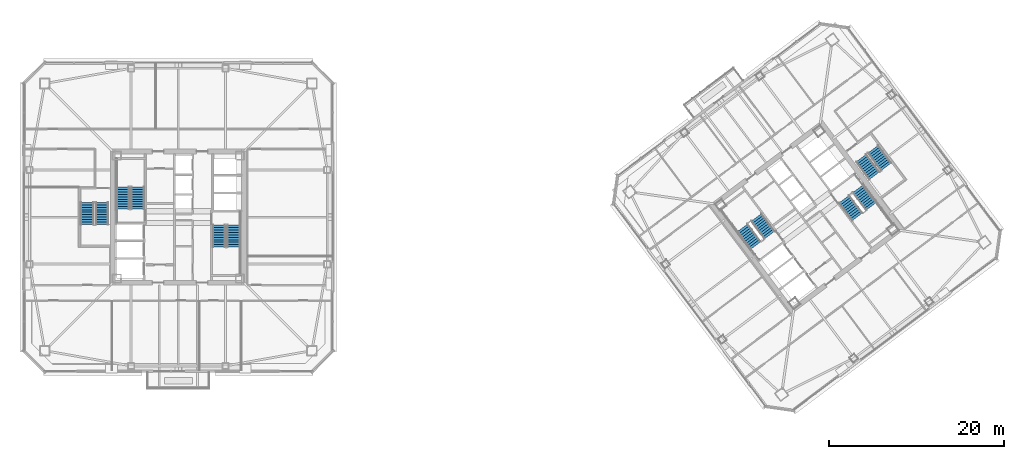
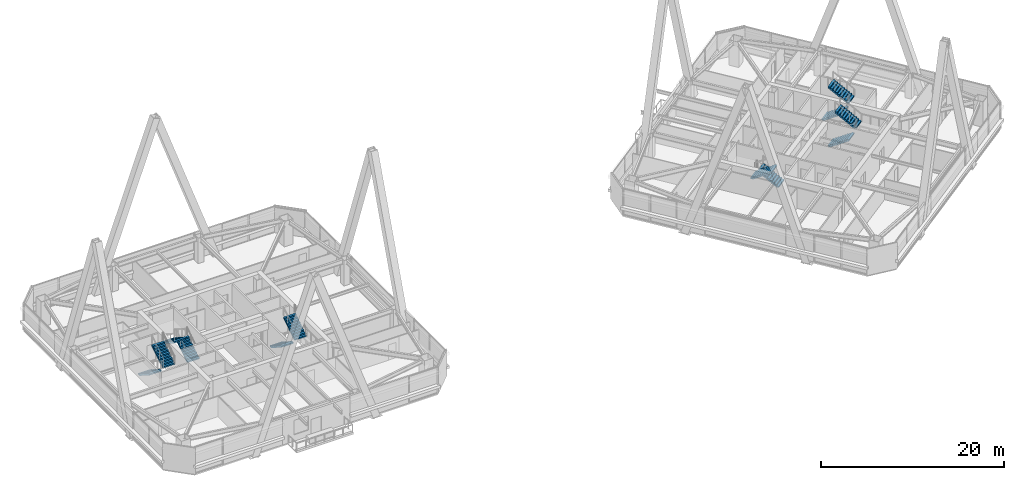
# One storey, part 49 of 55: 12 stair flights, 6 elements without a shape of their own.
"""IFC4 building model written with IfcOpenShell, lengths in metres."""

import ifcopenshell
import ifcopenshell.guid

model = None  # the IFC model being written
_history = None  # IfcOwnerHistory: only IFC2X3 demands one
_inside = {}  # id of a spatial element -> (the spatial element, [elements in it])
_under = {}  # id of a project, library or spatial element -> (it, [spatial elements below it])
_declared = {}  # id of a project -> (the project, [libraries it declares])
_typed = {}  # id of a type object -> (the type object, [elements of that type])
_made_of = {}  # id of a material, layer set ... -> (it, [elements and type objects made of it])


def new_model(schema):
    """Start an empty IFC model of exactly this schema.

    Asked for "IFC4X3", IfcOpenShell would pick the latest addendum, in which some entities
    have other attributes; the version numbers below select the first issue.
    IFC2X3 requires an IfcOwnerHistory on every rooted entity: one is made here for all.
    """
    global model, _history
    if schema == "IFC4X3":
        model = ifcopenshell.file(schema_version=(4, 3, 0, 0))
    else:
        model = ifcopenshell.file(schema=schema)
    _inside.clear()
    _under.clear()
    _declared.clear()
    _typed.clear()
    _made_of.clear()
    _history = None
    if model.schema == "IFC2X3":
        org = make("IfcOrganization", Name="unknown")
        user = make(
            "IfcPersonAndOrganization",
            ThePerson=make("IfcPerson", FamilyName="unknown"),
            TheOrganization=org,
        )
        app = make(
            "IfcApplication",
            ApplicationDeveloper=org,
            Version="unknown",
            ApplicationFullName="unknown",
            ApplicationIdentifier="unknown",
        )
        _history = make(
            "IfcOwnerHistory",
            OwningUser=user,
            OwningApplication=app,
            ChangeAction="ADDED",
            CreationDate=0,
        )
    return model


def make(cls, **values):
    """One entity of the class cls with the attributes given. An attribute that is None is left unset."""
    return model.create_entity(
        cls, **{name: value for name, value in values.items() if value is not None}
    )


def rooted(cls, **values):
    """An entity with a GlobalId (a new one), such as an element, a storey or a relation."""
    return make(cls, GlobalId=ifcopenshell.guid.new(), OwnerHistory=_history, **values)


def si_unit(unit_type, name, prefix=None):
    """IfcSIUnit, for example si_unit("LENGTHUNIT", "METRE", prefix="MILLI")."""
    return make("IfcSIUnit", UnitType=unit_type, Prefix=prefix, Name=name)


def assignment(units):
    """IfcUnitAssignment: the units of a project."""
    return None if units is None else make("IfcUnitAssignment", Units=units)


def point(xyz):
    """IfcCartesianPoint."""
    return None if xyz is None else make("IfcCartesianPoint", Coordinates=xyz)


def direction(xyz):
    """IfcDirection."""
    return None if xyz is None else make("IfcDirection", DirectionRatios=xyz)


def frame(location, z_axis=None, x_axis=None):
    """IfcAxis2Placement3D, a coordinate frame: its origin and axes. An axis left out is left unset."""
    return make(
        "IfcAxis2Placement3D",
        Location=point(location),
        Axis=direction(z_axis),
        RefDirection=direction(x_axis),
    )


def origin():
    """The frame at (0, 0, 0) with its axes left unset."""
    return frame((0.0, 0.0, 0.0))


def place(relative_to, where):
    """IfcLocalPlacement: puts the frame where relative to a parent placement (None: the world)."""
    return make(
        "IfcLocalPlacement", PlacementRelTo=relative_to, RelativePlacement=where
    )


def context(
    kind, dimensions, precision=None, world=None, true_north=None, identifier=None
):
    """IfcGeometricRepresentationContext, for example the 3D "Model" context."""
    return make(
        "IfcGeometricRepresentationContext",
        ContextIdentifier=identifier,
        ContextType=kind,
        CoordinateSpaceDimension=dimensions,
        Precision=precision,
        WorldCoordinateSystem=world,
        TrueNorth=true_north,
    )


def subcontext(parent, identifier, kind, view, scale=None):
    """IfcGeometricRepresentationSubContext, for example "Body" below "Model"."""
    return make(
        "IfcGeometricRepresentationSubContext",
        ContextIdentifier=identifier,
        ContextType=kind,
        ParentContext=parent,
        TargetScale=scale,
        TargetView=view,
    )


def project(units=None, contexts=None):
    """IfcProject with its units and contexts."""
    return rooted(
        "IfcProject",
        Name="project",
        RepresentationContexts=contexts,
        UnitsInContext=assignment(units),
    )


def spatial(cls, under=None, at=None, **own):
    """A site, building, storey or space (cls), placed at a placement, below another one or the project."""
    s = rooted(cls, ObjectPlacement=at, **own)
    if under is not None:
        _under.setdefault(under.id(), (under, []))[1].append(s)
    return s


def polyline(points):
    """IfcPolyline through the points."""
    return make("IfcPolyline", Points=[point(p) for p in points])


def outline(outer, holes=None, kind="AREA"):
    """IfcArbitraryClosedProfileDef: a profile drawn as a closed curve; with holes, ...WithVoids."""
    if holes is None:
        return make("IfcArbitraryClosedProfileDef", ProfileType=kind, OuterCurve=outer)
    return make(
        "IfcArbitraryProfileDefWithVoids",
        ProfileType=kind,
        OuterCurve=outer,
        InnerCurves=holes,
    )


def extrude(swept, where, along, depth):
    """IfcExtrudedAreaSolid: the profile swept, set in the frame where, extruded along a direction by depth."""
    return make(
        "IfcExtrudedAreaSolid",
        SweptArea=swept,
        Position=where,
        ExtrudedDirection=direction(along),
        Depth=depth,
    )


def shape(context_of_items, identifier, shape_type, items):
    """IfcShapeRepresentation: the items that make up one representation, for example the "Body"."""
    return make(
        "IfcShapeRepresentation",
        ContextOfItems=context_of_items,
        RepresentationIdentifier=identifier,
        RepresentationType=shape_type,
        Items=items,
    )


def material(Name=None, Category=None):
    """IfcMaterial."""
    return make("IfcMaterial", Name=Name, Category=Category)


def made_of(thing, what):
    """Note that an element or type object is made of a material, layer set ...; save() writes the relation."""
    if what is not None:
        _made_of.setdefault(what.id(), (what, []))[1].append(thing)
    return thing


def type_object(cls, material=None, **own):
    """A type object (cls), such as IfcWallType, which elements share."""
    return made_of(rooted(cls, **own), material)


def element(
    cls,
    number,
    at=None,
    inside=None,
    cuts=None,
    type_object=None,
    material=None,
    context=None,
    identifier="Body",
    shape_type=None,
    held_by="IfcProductDefinitionShape",
    body=None,
    shapes=None,
    **own,
):
    """One element of the class cls, such as IfcWall. Its Tag is "e" and its number.

    at: its placement. inside: the storey or other place that contains it. cuts: it is an
    opening in that element (IfcRelVoidsElement). A single representation is given by context,
    identifier, shape_type and body (its items); several are given by shapes. held_by: the class
    of the entity that holds the representations. save() writes the other relations.
    """
    e = rooted(cls, Tag="e%d" % number, ObjectPlacement=at, **own)
    if body is not None:
        shapes = [shape(context, identifier, shape_type, body)]
    if shapes is not None:
        e.Representation = make(held_by, Representations=shapes)
    if inside is not None:
        _inside.setdefault(inside.id(), (inside, []))[1].append(e)
    if cuts is not None:
        rooted(
            "IfcRelVoidsElement", RelatingBuildingElement=cuts, RelatedOpeningElement=e
        )
    if type_object is not None:
        _typed.setdefault(type_object.id(), (type_object, []))[1].append(e)
    return made_of(e, material)


def aggregate(whole, parts):
    """IfcRelAggregates: a whole, such as a stair, and the parts it consists of."""
    return rooted("IfcRelAggregates", RelatingObject=whole, RelatedObjects=parts)


def save(model, path):
    """Write the relations noted so far, then the file.

    IfcRelAggregates (storeys below a building ...), IfcRelContainedInSpatialStructure (elements
    in a storey), IfcRelDefinesByType, IfcRelAssociatesMaterial and IfcRelDeclares: one each for
    every whole, place, type object, material and project.
    """
    for whole, parts in _under.values():
        aggregate(whole, parts)
    for where, things in _inside.values():
        rooted(
            "IfcRelContainedInSpatialStructure",
            RelatedElements=things,
            RelatingStructure=where,
        )
    for kind, things in _typed.values():
        rooted("IfcRelDefinesByType", RelatedObjects=things, RelatingType=kind)
    for what, things in _made_of.values():
        rooted("IfcRelAssociatesMaterial", RelatedObjects=things, RelatingMaterial=what)
    for by, libraries in _declared.values():
        rooted("IfcRelDeclares", RelatingContext=by, RelatedDefinitions=libraries)
    model.write(path)


model = new_model("IFC4")

# Units and contexts
model_context = context("Model", 3, precision=1e-05, world=origin(), true_north=direction((0.0, 1.0)))
body_context = subcontext(model_context, "Body", "Model", "MODEL_VIEW")
ifc_project = project(units=[si_unit("LENGTHUNIT", "METRE"), si_unit("AREAUNIT", "SQUARE_METRE"), si_unit("VOLUMEUNIT", "CUBIC_METRE"), si_unit("PLANEANGLEUNIT", "RADIAN"), si_unit("MASSUNIT", "GRAM", prefix="KILO")], contexts=[model_context])

# Site, building, storey
site_placement = place(None, origin())
site = spatial("IfcSite", under=ifc_project, at=site_placement, CompositionType="ELEMENT")
building_placement = place(site_placement, origin())
building = spatial("IfcBuilding", under=site, at=building_placement, Name="Tashvorn Skyway Center", CompositionType="ELEMENT")
storey_placement = place(building_placement, frame((0.0, 0.0, 178.300048828125)))
storey = spatial("IfcBuildingStorey", under=building, at=storey_placement, Name="L48", CompositionType="ELEMENT", Elevation=178.300048828125)

# Stair, stair flights
ifc_material = material(Name="Concrete C40/50", Category="concrete")
stair_type = type_object("IfcStairType", Name="STAIR-CORE-1500", PredefinedType="HALF_TURN_STAIR", material=ifc_material)
stair_1_placement = place(storey_placement, origin())
stair_1 = element("IfcStair", 1, at=stair_1_placement, inside=storey, type_object=stair_type, Name="L48 Tower 1 Exit Stair 1", PredefinedType="HALF_TURN_STAIR")
stair_flight_type = type_object("IfcStairFlightType", Name="SFLIGHT-1500", PredefinedType="STRAIGHT", material=ifc_material)
stair_flight_1_placement = place(storey_placement, frame((37.35009765625, 32.919921875, 0.0), z_axis=(0.0, 0.0, 1.0), x_axis=(0.0, 1.0, 0.0)))
stair_flight_1 = element("IfcStairFlight", 2, at=stair_flight_1_placement, type_object=stair_flight_type, Name="ST-T1-1 flight 1", NumberOfRisers=10, NumberOfTreads=9, PredefinedType="STRAIGHT", RiserHeight=0.1775, TreadLength=0.28, context=body_context, shape_type="SweptSolid", body=[
    extrude(outline(polyline([(0.0, 0.0), (0.0, 0.177490234375), (0.280029296875, 0.177490234375), (0.280029296875, 0.35498046875), (0.56005859375, 0.35498046875), (0.56005859375, 0.532470703125), (0.840087890625, 0.532470703125), (0.840087890625, 0.7099609375), (1.1201171875, 0.7099609375), (1.1201171875, 0.887451171875), (1.39990234375, 0.887451171875), (1.39990234375, 1.06494140625), (1.679931640625, 1.06494140625), (1.679931640625, 1.242431640625), (1.9599609375, 1.242431640625), (1.9599609375, 1.419921875), (2.239990234375, 1.419921875), (2.239990234375, 1.597412109375), (2.52001953125, 1.597412109375), (2.52001953125, 1.77490234375), (2.52001953125, 1.419921875), (0.280029296875, 0.0), (0.0, 0.0)])), frame((0.0, 0.75, 0.0), z_axis=(0.0, -1.0, 0.0), x_axis=(1.0, 0.0, 0.0)), (0.0, 0.0, 1.0), 1.5),
])
stair_flight_2_placement = place(storey_placement, frame((35.64990234375, 35.43994140625, 1.77490234375), z_axis=(0.0, 0.0, 1.0), x_axis=(0.0, -1.0, 0.0)))
stair_flight_2 = element("IfcStairFlight", 3, at=stair_flight_2_placement, type_object=stair_flight_type, Name="ST-T1-1 flight 2", NumberOfRisers=10, NumberOfTreads=9, PredefinedType="STRAIGHT", RiserHeight=0.1775, TreadLength=0.28, context=body_context, shape_type="SweptSolid", body=[
    extrude(outline(polyline([(0.0, 0.0), (0.0, 0.177490234375), (0.280029296875, 0.177490234375), (0.280029296875, 0.35498046875), (0.56005859375, 0.35498046875), (0.56005859375, 0.532470703125), (0.840087890625, 0.532470703125), (0.840087890625, 0.7099609375), (1.1201171875, 0.7099609375), (1.1201171875, 0.887451171875), (1.39990234375, 0.887451171875), (1.39990234375, 1.06494140625), (1.679931640625, 1.06494140625), (1.679931640625, 1.242431640625), (1.9599609375, 1.242431640625), (1.9599609375, 1.419921875), (2.239990234375, 1.419921875), (2.239990234375, 1.597412109375), (2.52001953125, 1.597412109375), (2.52001953125, 1.77490234375), (2.52001953125, 1.419921875), (0.280029296875, 0.0), (0.0, 0.0)])), frame((0.0, 0.75, 0.0), z_axis=(0.0, -1.0, 0.0), x_axis=(1.0, 0.0, 0.0)), (0.0, 0.0, 1.0), 1.5),
])
aggregate(stair_1, [stair_flight_1, stair_flight_2])

stair_2_placement = place(storey_placement, origin())
stair_2 = element("IfcStair", 4, at=stair_2_placement, inside=storey, type_object=stair_type, Name="L48 Tower 1 Exit Stair 2", PredefinedType="HALF_TURN_STAIR")
stair_flight_3_placement = place(storey_placement, frame((46.64990234375, 31.080078125, 0.0), z_axis=(0.0, 0.0, 1.0), x_axis=(0.0, -1.0, 0.0)))
stair_flight_3 = element("IfcStairFlight", 5, at=stair_flight_3_placement, type_object=stair_flight_type, Name="ST-T1-2 flight 1", NumberOfRisers=10, NumberOfTreads=9, PredefinedType="STRAIGHT", RiserHeight=0.1775, TreadLength=0.28, context=body_context, shape_type="SweptSolid", body=[
    extrude(outline(polyline([(0.0, 0.0), (0.0, 0.177490234375), (0.280029296875, 0.177490234375), (0.280029296875, 0.35498046875), (0.56005859375, 0.35498046875), (0.56005859375, 0.532470703125), (0.840087890625, 0.532470703125), (0.840087890625, 0.7099609375), (1.1201171875, 0.7099609375), (1.1201171875, 0.887451171875), (1.39990234375, 0.887451171875), (1.39990234375, 1.06494140625), (1.679931640625, 1.06494140625), (1.679931640625, 1.242431640625), (1.9599609375, 1.242431640625), (1.9599609375, 1.419921875), (2.239990234375, 1.419921875), (2.239990234375, 1.597412109375), (2.52001953125, 1.597412109375), (2.52001953125, 1.77490234375), (2.52001953125, 1.419921875), (0.280029296875, 0.0), (0.0, 0.0)])), frame((0.0, 0.75, 0.0), z_axis=(0.0, -1.0, 0.0), x_axis=(1.0, 0.0, 0.0)), (0.0, 0.0, 1.0), 1.5),
])
stair_flight_4_placement = place(storey_placement, frame((48.35009765625, 28.56005859375, 1.77490234375), z_axis=(0.0, 0.0, 1.0), x_axis=(0.0, 1.0, 0.0)))
stair_flight_4 = element("IfcStairFlight", 6, at=stair_flight_4_placement, type_object=stair_flight_type, Name="ST-T1-2 flight 2", NumberOfRisers=10, NumberOfTreads=9, PredefinedType="STRAIGHT", RiserHeight=0.1775, TreadLength=0.28, context=body_context, shape_type="SweptSolid", body=[
    extrude(outline(polyline([(0.0, 0.0), (0.0, 0.177490234375), (0.280029296875, 0.177490234375), (0.280029296875, 0.35498046875), (0.56005859375, 0.35498046875), (0.56005859375, 0.532470703125), (0.840087890625, 0.532470703125), (0.840087890625, 0.7099609375), (1.1201171875, 0.7099609375), (1.1201171875, 0.887451171875), (1.39990234375, 0.887451171875), (1.39990234375, 1.06494140625), (1.679931640625, 1.06494140625), (1.679931640625, 1.242431640625), (1.9599609375, 1.242431640625), (1.9599609375, 1.419921875), (2.239990234375, 1.419921875), (2.239990234375, 1.597412109375), (2.52001953125, 1.597412109375), (2.52001953125, 1.77490234375), (2.52001953125, 1.419921875), (0.280029296875, 0.0), (0.0, 0.0)])), frame((0.0, 0.75, 0.0), z_axis=(0.0, -1.0, 0.0), x_axis=(1.0, 0.0, 0.0)), (0.0, 0.0, 1.0), 1.5),
])
aggregate(stair_2, [stair_flight_3, stair_flight_4])

stair_3_placement = place(storey_placement, origin())
stair_3 = element("IfcStair", 7, at=stair_3_placement, inside=storey, type_object=stair_type, Name="L48 Tower 2 Exit Stair 1", PredefinedType="HALF_TURN_STAIR")
stair_flight_5_placement = place(storey_placement, frame((109.72802734375, 29.946044921875, 0.0), z_axis=(0.0, 0.0, 1.0), x_axis=(-0.600000004945, 0.799999996291, 0.0)))
stair_flight_5 = element("IfcStairFlight", 8, at=stair_flight_5_placement, type_object=stair_flight_type, Name="ST-T2-1 flight 1", NumberOfRisers=10, NumberOfTreads=9, PredefinedType="STRAIGHT", RiserHeight=0.1775, TreadLength=0.28, context=body_context, shape_type="SweptSolid", body=[
    extrude(outline(polyline([(0.0, 0.0), (0.0, 0.177490234375), (0.280029296875, 0.177490234375), (0.280029296875, 0.35498046875), (0.56005859375, 0.35498046875), (0.56005859375, 0.532470703125), (0.840087890625, 0.532470703125), (0.840087890625, 0.7099609375), (1.1201171875, 0.7099609375), (1.1201171875, 0.887451171875), (1.39990234375, 0.887451171875), (1.39990234375, 1.06494140625), (1.679931640625, 1.06494140625), (1.679931640625, 1.242431640625), (1.9599609375, 1.242431640625), (1.9599609375, 1.419921875), (2.239990234375, 1.419921875), (2.239990234375, 1.597412109375), (2.52001953125, 1.597412109375), (2.52001953125, 1.77490234375), (2.52001953125, 1.419921875), (0.280029296875, 0.0), (0.0, 0.0)])), frame((0.0, 0.75, 0.0), z_axis=(0.0, -1.0, 0.0), x_axis=(1.0, 0.0, 0.0)), (0.0, 0.0, 1.0), 1.5),
])
stair_flight_6_placement = place(storey_placement, frame((106.632080078125, 30.77392578125, 1.77490234375), z_axis=(0.0, 0.0, 1.0), x_axis=(0.600000004945, -0.799999996291, 0.0)))
stair_flight_6 = element("IfcStairFlight", 9, at=stair_flight_6_placement, type_object=stair_flight_type, Name="ST-T2-1 flight 2", NumberOfRisers=10, NumberOfTreads=9, PredefinedType="STRAIGHT", RiserHeight=0.1775, TreadLength=0.28, context=body_context, shape_type="SweptSolid", body=[
    extrude(outline(polyline([(0.0, 0.0), (0.0, 0.177490234375), (0.280029296875, 0.177490234375), (0.280029296875, 0.35498046875), (0.56005859375, 0.35498046875), (0.56005859375, 0.532470703125), (0.840087890625, 0.532470703125), (0.840087890625, 0.7099609375), (1.1201171875, 0.7099609375), (1.1201171875, 0.887451171875), (1.39990234375, 0.887451171875), (1.39990234375, 1.06494140625), (1.679931640625, 1.06494140625), (1.679931640625, 1.242431640625), (1.9599609375, 1.242431640625), (1.9599609375, 1.419921875), (2.239990234375, 1.419921875), (2.239990234375, 1.597412109375), (2.52001953125, 1.597412109375), (2.52001953125, 1.77490234375), (2.52001953125, 1.419921875), (0.280029296875, 0.0), (0.0, 0.0)])), frame((0.0, 0.75, 0.0), z_axis=(0.0, -1.0, 0.0), x_axis=(1.0, 0.0, 0.0)), (0.0, 0.0, 1.0), 1.5),
])
aggregate(stair_3, [stair_flight_5, stair_flight_6])

stair_4_placement = place(storey_placement, origin())
stair_4 = element("IfcStair", 10, at=stair_4_placement, inside=storey, type_object=stair_type, Name="L48 Tower 2 Exit Stair 2", PredefinedType="HALF_TURN_STAIR")
stair_flight_7_placement = place(storey_placement, frame((118.27197265625, 34.053955078125, 0.0), z_axis=(0.0, 0.0, 1.0), x_axis=(0.600000004945, -0.799999996291, 0.0)))
stair_flight_7 = element("IfcStairFlight", 11, at=stair_flight_7_placement, type_object=stair_flight_type, Name="ST-T2-2 flight 1", NumberOfRisers=10, NumberOfTreads=9, PredefinedType="STRAIGHT", RiserHeight=0.1775, TreadLength=0.28, context=body_context, shape_type="SweptSolid", body=[
    extrude(outline(polyline([(0.0, 0.0), (0.0, 0.177490234375), (0.280029296875, 0.177490234375), (0.280029296875, 0.35498046875), (0.56005859375, 0.35498046875), (0.56005859375, 0.532470703125), (0.840087890625, 0.532470703125), (0.840087890625, 0.7099609375), (1.1201171875, 0.7099609375), (1.1201171875, 0.887451171875), (1.39990234375, 0.887451171875), (1.39990234375, 1.06494140625), (1.679931640625, 1.06494140625), (1.679931640625, 1.242431640625), (1.9599609375, 1.242431640625), (1.9599609375, 1.419921875), (2.239990234375, 1.419921875), (2.239990234375, 1.597412109375), (2.52001953125, 1.597412109375), (2.52001953125, 1.77490234375), (2.52001953125, 1.419921875), (0.280029296875, 0.0), (0.0, 0.0)])), frame((0.0, 0.75, 0.0), z_axis=(0.0, -1.0, 0.0), x_axis=(1.0, 0.0, 0.0)), (0.0, 0.0, 1.0), 1.5),
])
stair_flight_8_placement = place(storey_placement, frame((121.367919921875, 33.22607421875, 1.77490234375), z_axis=(0.0, 0.0, 1.0), x_axis=(-0.600000004945, 0.799999996291, 0.0)))
stair_flight_8 = element("IfcStairFlight", 12, at=stair_flight_8_placement, type_object=stair_flight_type, Name="ST-T2-2 flight 2", NumberOfRisers=10, NumberOfTreads=9, PredefinedType="STRAIGHT", RiserHeight=0.1775, TreadLength=0.28, context=body_context, shape_type="SweptSolid", body=[
    extrude(outline(polyline([(0.0, 0.0), (0.0, 0.177490234375), (0.280029296875, 0.177490234375), (0.280029296875, 0.35498046875), (0.56005859375, 0.35498046875), (0.56005859375, 0.532470703125), (0.840087890625, 0.532470703125), (0.840087890625, 0.7099609375), (1.1201171875, 0.7099609375), (1.1201171875, 0.887451171875), (1.39990234375, 0.887451171875), (1.39990234375, 1.06494140625), (1.679931640625, 1.06494140625), (1.679931640625, 1.242431640625), (1.9599609375, 1.242431640625), (1.9599609375, 1.419921875), (2.239990234375, 1.419921875), (2.239990234375, 1.597412109375), (2.52001953125, 1.597412109375), (2.52001953125, 1.77490234375), (2.52001953125, 1.419921875), (0.280029296875, 0.0), (0.0, 0.0)])), frame((0.0, 0.75, 0.0), z_axis=(0.0, -1.0, 0.0), x_axis=(1.0, 0.0, 0.0)), (0.0, 0.0, 1.0), 1.5),
])
aggregate(stair_4, [stair_flight_7, stair_flight_8])

stair_5_placement = place(storey_placement, origin())
stair_5 = element("IfcStair", 13, at=stair_5_placement, inside=storey, type_object=stair_type, Name="L48 Tower 1 Exit Stair 3", PredefinedType="HALF_TURN_STAIR")
stair_flight_9_placement = place(storey_placement, frame((31.550048828125, 33.679931640625, 0.0), z_axis=(0.0, 0.0, 1.0), x_axis=(0.0, -1.0, 0.0)))
stair_flight_9 = element("IfcStairFlight", 14, at=stair_flight_9_placement, type_object=stair_flight_type, Name="ST-T1-3 flight 1", NumberOfRisers=10, NumberOfTreads=9, PredefinedType="STRAIGHT", RiserHeight=0.1775, TreadLength=0.28, context=body_context, shape_type="SweptSolid", body=[
    extrude(outline(polyline([(0.0, 0.0), (0.0, 0.177490234375), (0.280029296875, 0.177490234375), (0.280029296875, 0.35498046875), (0.56005859375, 0.35498046875), (0.56005859375, 0.532470703125), (0.840087890625, 0.532470703125), (0.840087890625, 0.7099609375), (1.1201171875, 0.7099609375), (1.1201171875, 0.887451171875), (1.39990234375, 0.887451171875), (1.39990234375, 1.06494140625), (1.679931640625, 1.06494140625), (1.679931640625, 1.242431640625), (1.9599609375, 1.242431640625), (1.9599609375, 1.419921875), (2.239990234375, 1.419921875), (2.239990234375, 1.597412109375), (2.52001953125, 1.597412109375), (2.52001953125, 1.77490234375), (2.52001953125, 1.419921875), (0.280029296875, 0.0), (0.0, 0.0)])), frame((0.0, 0.75, 0.0), z_axis=(0.0, -1.0, 0.0), x_axis=(1.0, 0.0, 0.0)), (0.0, 0.0, 1.0), 1.5),
])
stair_flight_10_placement = place(storey_placement, frame((33.25, 31.159912109375, 1.77490234375), z_axis=(0.0, 0.0, 1.0), x_axis=(0.0, 1.0, 0.0)))
stair_flight_10 = element("IfcStairFlight", 15, at=stair_flight_10_placement, type_object=stair_flight_type, Name="ST-T1-3 flight 2", NumberOfRisers=10, NumberOfTreads=9, PredefinedType="STRAIGHT", RiserHeight=0.1775, TreadLength=0.28, context=body_context, shape_type="SweptSolid", body=[
    extrude(outline(polyline([(0.0, 0.0), (0.0, 0.177490234375), (0.280029296875, 0.177490234375), (0.280029296875, 0.35498046875), (0.56005859375, 0.35498046875), (0.56005859375, 0.532470703125), (0.840087890625, 0.532470703125), (0.840087890625, 0.7099609375), (1.1201171875, 0.7099609375), (1.1201171875, 0.887451171875), (1.39990234375, 0.887451171875), (1.39990234375, 1.06494140625), (1.679931640625, 1.06494140625), (1.679931640625, 1.242431640625), (1.9599609375, 1.242431640625), (1.9599609375, 1.419921875), (2.239990234375, 1.419921875), (2.239990234375, 1.597412109375), (2.52001953125, 1.597412109375), (2.52001953125, 1.77490234375), (2.52001953125, 1.419921875), (0.280029296875, 0.0), (0.0, 0.0)])), frame((0.0, 0.75, 0.0), z_axis=(0.0, -1.0, 0.0), x_axis=(1.0, 0.0, 0.0)), (0.0, 0.0, 1.0), 1.5),
])
aggregate(stair_5, [stair_flight_9, stair_flight_10])

stair_6_placement = place(storey_placement, origin())
stair_6 = element("IfcStair", 16, at=stair_6_placement, inside=storey, type_object=stair_type, Name="L48 Tower 2 Exit Stair 3", PredefinedType="HALF_TURN_STAIR")
stair_flight_11_placement = place(storey_placement, frame((120.216064453125, 38.761962890625, 0.0), z_axis=(0.0, 0.0, 1.0), x_axis=(0.600000004945, -0.799999996291, 0.0)))
stair_flight_11 = element("IfcStairFlight", 17, at=stair_flight_11_placement, type_object=stair_flight_type, Name="ST-T2-3 flight 1", NumberOfRisers=10, NumberOfTreads=9, PredefinedType="STRAIGHT", RiserHeight=0.1775, TreadLength=0.28, context=body_context, shape_type="SweptSolid", body=[
    extrude(outline(polyline([(0.0, 0.0), (0.0, 0.177490234375), (0.280029296875, 0.177490234375), (0.280029296875, 0.35498046875), (0.56005859375, 0.35498046875), (0.56005859375, 0.532470703125), (0.840087890625, 0.532470703125), (0.840087890625, 0.7099609375), (1.1201171875, 0.7099609375), (1.1201171875, 0.887451171875), (1.39990234375, 0.887451171875), (1.39990234375, 1.06494140625), (1.679931640625, 1.06494140625), (1.679931640625, 1.242431640625), (1.9599609375, 1.242431640625), (1.9599609375, 1.419921875), (2.239990234375, 1.419921875), (2.239990234375, 1.597412109375), (2.52001953125, 1.597412109375), (2.52001953125, 1.77490234375), (2.52001953125, 1.419921875), (0.280029296875, 0.0), (0.0, 0.0)])), frame((0.0, 0.75, 0.0), z_axis=(0.0, -1.0, 0.0), x_axis=(1.0, 0.0, 0.0)), (0.0, 0.0, 1.0), 1.5),
])
stair_flight_12_placement = place(storey_placement, frame((123.087890625, 37.76611328125, 1.77490234375), z_axis=(0.0, 0.0, 1.0), x_axis=(-0.600000004945, 0.799999996291, 0.0)))
stair_flight_12 = element("IfcStairFlight", 18, at=stair_flight_12_placement, type_object=stair_flight_type, Name="ST-T2-3 flight 2", NumberOfRisers=10, NumberOfTreads=9, PredefinedType="STRAIGHT", RiserHeight=0.1775, TreadLength=0.28, context=body_context, shape_type="SweptSolid", body=[
    extrude(outline(polyline([(0.0, 0.0), (0.0, 0.177490234375), (0.280029296875, 0.177490234375), (0.280029296875, 0.35498046875), (0.56005859375, 0.35498046875), (0.56005859375, 0.532470703125), (0.840087890625, 0.532470703125), (0.840087890625, 0.7099609375), (1.1201171875, 0.7099609375), (1.1201171875, 0.887451171875), (1.39990234375, 0.887451171875), (1.39990234375, 1.06494140625), (1.679931640625, 1.06494140625), (1.679931640625, 1.242431640625), (1.9599609375, 1.242431640625), (1.9599609375, 1.419921875), (2.239990234375, 1.419921875), (2.239990234375, 1.597412109375), (2.52001953125, 1.597412109375), (2.52001953125, 1.77490234375), (2.52001953125, 1.419921875), (0.280029296875, 0.0), (0.0, 0.0)])), frame((0.0, 0.75, 0.0), z_axis=(0.0, -1.0, 0.0), x_axis=(1.0, 0.0, 0.0)), (0.0, 0.0, 1.0), 1.5),
])
aggregate(stair_6, [stair_flight_11, stair_flight_12])

save(model, "model.ifc")
